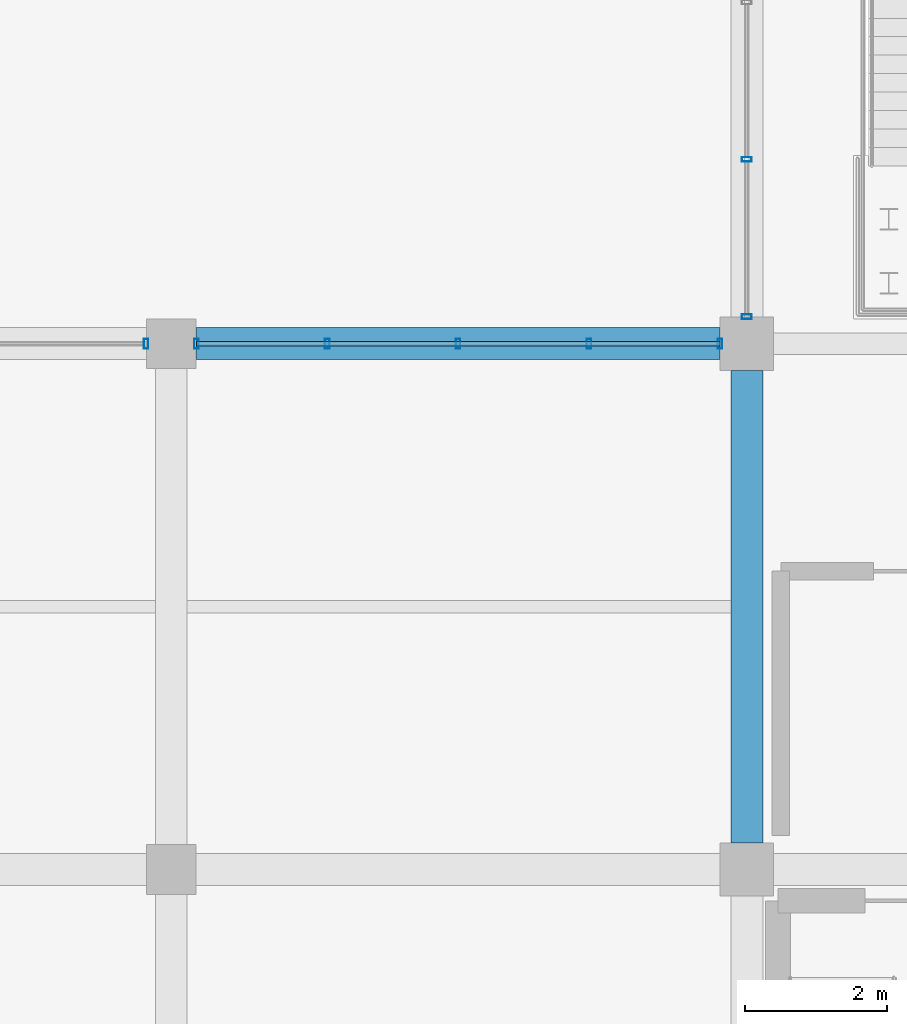
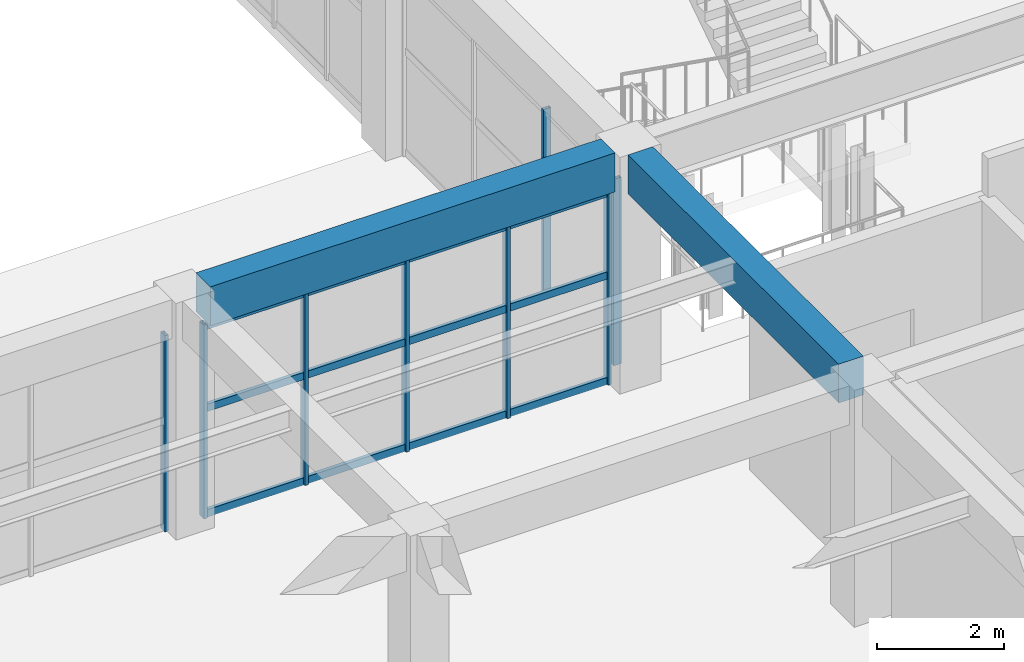
# One storey, part 45 of 161: 11 members, 2 beams, 3 elements without a shape of their own.
"""IFC4 building model written with IfcOpenShell, lengths in metres."""

import ifcopenshell
import ifcopenshell.guid

model = None  # the IFC model being written
_history = None  # IfcOwnerHistory: only IFC2X3 demands one
_inside = {}  # id of a spatial element -> (the spatial element, [elements in it])
_under = {}  # id of a project, library or spatial element -> (it, [spatial elements below it])
_declared = {}  # id of a project -> (the project, [libraries it declares])
_typed = {}  # id of a type object -> (the type object, [elements of that type])
_made_of = {}  # id of a material, layer set ... -> (it, [elements and type objects made of it])


def new_model(schema):
    """Start an empty IFC model of exactly this schema.

    Asked for "IFC4X3", IfcOpenShell would pick the latest addendum, in which some entities
    have other attributes; the version numbers below select the first issue.
    IFC2X3 requires an IfcOwnerHistory on every rooted entity: one is made here for all.
    """
    global model, _history
    if schema == "IFC4X3":
        model = ifcopenshell.file(schema_version=(4, 3, 0, 0))
    else:
        model = ifcopenshell.file(schema=schema)
    _inside.clear()
    _under.clear()
    _declared.clear()
    _typed.clear()
    _made_of.clear()
    _history = None
    if model.schema == "IFC2X3":
        org = make("IfcOrganization", Name="unknown")
        user = make(
            "IfcPersonAndOrganization",
            ThePerson=make("IfcPerson", FamilyName="unknown"),
            TheOrganization=org,
        )
        app = make(
            "IfcApplication",
            ApplicationDeveloper=org,
            Version="unknown",
            ApplicationFullName="unknown",
            ApplicationIdentifier="unknown",
        )
        _history = make(
            "IfcOwnerHistory",
            OwningUser=user,
            OwningApplication=app,
            ChangeAction="ADDED",
            CreationDate=0,
        )
    return model


def make(cls, **values):
    """One entity of the class cls with the attributes given. An attribute that is None is left unset."""
    return model.create_entity(
        cls, **{name: value for name, value in values.items() if value is not None}
    )


def rooted(cls, **values):
    """An entity with a GlobalId (a new one), such as an element, a storey or a relation."""
    return make(cls, GlobalId=ifcopenshell.guid.new(), OwnerHistory=_history, **values)


def si_unit(unit_type, name, prefix=None):
    """IfcSIUnit, for example si_unit("LENGTHUNIT", "METRE", prefix="MILLI")."""
    return make("IfcSIUnit", UnitType=unit_type, Prefix=prefix, Name=name)


def assignment(units):
    """IfcUnitAssignment: the units of a project."""
    return None if units is None else make("IfcUnitAssignment", Units=units)


def point(xyz):
    """IfcCartesianPoint."""
    return None if xyz is None else make("IfcCartesianPoint", Coordinates=xyz)


def direction(xyz):
    """IfcDirection."""
    return None if xyz is None else make("IfcDirection", DirectionRatios=xyz)


def frame(location, z_axis=None, x_axis=None):
    """IfcAxis2Placement3D, a coordinate frame: its origin and axes. An axis left out is left unset."""
    return make(
        "IfcAxis2Placement3D",
        Location=point(location),
        Axis=direction(z_axis),
        RefDirection=direction(x_axis),
    )


def frame_2d(location, x_axis=None):
    """IfcAxis2Placement2D, a coordinate frame in the plane: its origin and x axis."""
    return make(
        "IfcAxis2Placement2D", Location=point(location), RefDirection=direction(x_axis)
    )


def origin():
    """The frame at (0, 0, 0) with its axes left unset."""
    return frame((0.0, 0.0, 0.0))


def origin_2d():
    """The frame at (0, 0) in the plane with its x axis left unset."""
    return frame_2d((0.0, 0.0))


def place(relative_to, where):
    """IfcLocalPlacement: puts the frame where relative to a parent placement (None: the world)."""
    return make(
        "IfcLocalPlacement", PlacementRelTo=relative_to, RelativePlacement=where
    )


def context(
    kind, dimensions, precision=None, world=None, true_north=None, identifier=None
):
    """IfcGeometricRepresentationContext, for example the 3D "Model" context."""
    return make(
        "IfcGeometricRepresentationContext",
        ContextIdentifier=identifier,
        ContextType=kind,
        CoordinateSpaceDimension=dimensions,
        Precision=precision,
        WorldCoordinateSystem=world,
        TrueNorth=true_north,
    )


def subcontext(parent, identifier, kind, view, scale=None):
    """IfcGeometricRepresentationSubContext, for example "Body" below "Model"."""
    return make(
        "IfcGeometricRepresentationSubContext",
        ContextIdentifier=identifier,
        ContextType=kind,
        ParentContext=parent,
        TargetScale=scale,
        TargetView=view,
    )


def project(units=None, contexts=None):
    """IfcProject with its units and contexts."""
    return rooted(
        "IfcProject",
        Name="project",
        RepresentationContexts=contexts,
        UnitsInContext=assignment(units),
    )


def spatial(cls, under=None, at=None, **own):
    """A site, building, storey or space (cls), placed at a placement, below another one or the project."""
    s = rooted(cls, ObjectPlacement=at, **own)
    if under is not None:
        _under.setdefault(under.id(), (under, []))[1].append(s)
    return s


def profile(cls, at=None, kind="AREA", **sizes):
    """A parametric profile (cls). Its sizes go by their IFC names, for example OverallWidth=200.0."""
    return make(cls, ProfileType=kind, Position=at, **sizes)


def rectangle(**sizes):
    """IfcRectangleProfileDef."""
    return profile("IfcRectangleProfileDef", **sizes)


def hollow_rectangle(**sizes):
    """IfcRectangleHollowProfileDef."""
    return profile("IfcRectangleHollowProfileDef", **sizes)


def extrude(swept, where, along, depth):
    """IfcExtrudedAreaSolid: the profile swept, set in the frame where, extruded along a direction by depth."""
    return make(
        "IfcExtrudedAreaSolid",
        SweptArea=swept,
        Position=where,
        ExtrudedDirection=direction(along),
        Depth=depth,
    )


def shape(context_of_items, identifier, shape_type, items):
    """IfcShapeRepresentation: the items that make up one representation, for example the "Body"."""
    return make(
        "IfcShapeRepresentation",
        ContextOfItems=context_of_items,
        RepresentationIdentifier=identifier,
        RepresentationType=shape_type,
        Items=items,
    )


def material(Name=None, Category=None):
    """IfcMaterial."""
    return make("IfcMaterial", Name=Name, Category=Category)


def material_profile(
    of_material, cross_section, Name=None, Category=None, Priority=None
):
    """IfcMaterialProfile: a cross section and its material."""
    return make(
        "IfcMaterialProfile",
        Name=Name,
        Material=of_material,
        Profile=cross_section,
        Priority=Priority,
        Category=Category,
    )


def profile_set(profiles, Name=None, composite=None):
    """IfcMaterialProfileSet."""
    return make(
        "IfcMaterialProfileSet",
        Name=Name,
        MaterialProfiles=profiles,
        CompositeProfile=composite,
    )


def made_of(thing, what):
    """Note that an element or type object is made of a material, layer set ...; save() writes the relation."""
    if what is not None:
        _made_of.setdefault(what.id(), (what, []))[1].append(thing)
    return thing


def type_object(cls, material=None, **own):
    """A type object (cls), such as IfcWallType, which elements share."""
    return made_of(rooted(cls, **own), material)


def element(
    cls,
    number,
    at=None,
    inside=None,
    cuts=None,
    type_object=None,
    material=None,
    context=None,
    identifier="Body",
    shape_type=None,
    held_by="IfcProductDefinitionShape",
    body=None,
    shapes=None,
    **own,
):
    """One element of the class cls, such as IfcWall. Its Tag is "e" and its number.

    at: its placement. inside: the storey or other place that contains it. cuts: it is an
    opening in that element (IfcRelVoidsElement). A single representation is given by context,
    identifier, shape_type and body (its items); several are given by shapes. held_by: the class
    of the entity that holds the representations. save() writes the other relations.
    """
    e = rooted(cls, Tag="e%d" % number, ObjectPlacement=at, **own)
    if body is not None:
        shapes = [shape(context, identifier, shape_type, body)]
    if shapes is not None:
        e.Representation = make(held_by, Representations=shapes)
    if inside is not None:
        _inside.setdefault(inside.id(), (inside, []))[1].append(e)
    if cuts is not None:
        rooted(
            "IfcRelVoidsElement", RelatingBuildingElement=cuts, RelatedOpeningElement=e
        )
    if type_object is not None:
        _typed.setdefault(type_object.id(), (type_object, []))[1].append(e)
    return made_of(e, material)


def aggregate(whole, parts):
    """IfcRelAggregates: a whole, such as a stair, and the parts it consists of."""
    return rooted("IfcRelAggregates", RelatingObject=whole, RelatedObjects=parts)


def save(model, path):
    """Write the relations noted so far, then the file.

    IfcRelAggregates (storeys below a building ...), IfcRelContainedInSpatialStructure (elements
    in a storey), IfcRelDefinesByType, IfcRelAssociatesMaterial and IfcRelDeclares: one each for
    every whole, place, type object, material and project.
    """
    for whole, parts in _under.values():
        aggregate(whole, parts)
    for where, things in _inside.values():
        rooted(
            "IfcRelContainedInSpatialStructure",
            RelatedElements=things,
            RelatingStructure=where,
        )
    for kind, things in _typed.values():
        rooted("IfcRelDefinesByType", RelatedObjects=things, RelatingType=kind)
    for what, things in _made_of.values():
        rooted("IfcRelAssociatesMaterial", RelatedObjects=things, RelatingMaterial=what)
    for by, libraries in _declared.values():
        rooted("IfcRelDeclares", RelatingContext=by, RelatedDefinitions=libraries)
    model.write(path)


model = new_model("IFC4")

# Units and contexts
model_context = context("Model", 3, precision=1e-05, world=origin(), true_north=direction((0.0, 1.0)))
body_context = subcontext(model_context, "Body", "Model", "MODEL_VIEW")
ifc_project = project(units=[si_unit("LENGTHUNIT", "METRE"), si_unit("AREAUNIT", "SQUARE_METRE"), si_unit("VOLUMEUNIT", "CUBIC_METRE"), si_unit("PLANEANGLEUNIT", "RADIAN"), si_unit("MASSUNIT", "GRAM", prefix="KILO")], contexts=[model_context])

# Site, building, storey
site_placement = place(None, origin())
site = spatial("IfcSite", under=ifc_project, at=site_placement, CompositionType="ELEMENT")
building_placement = place(site_placement, origin())
building = spatial("IfcBuilding", under=site, at=building_placement, Name="Cimatlan Art Gallery", CompositionType="ELEMENT")
storey_placement = place(building_placement, frame((0.0, 0.0, 5.39990234375)))
storey = spatial("IfcBuildingStorey", under=building, at=storey_placement, Name="L01", CompositionType="ELEMENT", Elevation=5.39990234375)

# Beams
ifc_material_1 = material(Name="Concrete C40/50", Category="concrete")
ifc_material_profile_1 = material_profile(ifc_material_1, rectangle(XDim=0.449951171875, YDim=0.75, at=origin_2d()), Name="RC450X750")
ifc_profile_set_1 = profile_set([ifc_material_profile_1], Name="Concrete C40/50")
beam_type = type_object("IfcBeamType", Name="BM-RC-450X750", PredefinedType="BEAM", material=ifc_profile_set_1)
beam_1_placement = place(storey_placement, frame((74.89990234375, 31.675048828125, 4.18505859375), z_axis=(0.0, 1.0, 0.0), x_axis=(-1.0, 0.0, 0.0)))
element("IfcBeam", 1, at=beam_1_placement, inside=storey, type_object=beam_type, Name="BM-Y-L01-09-04", PredefinedType="BEAM", context=body_context, shape_type="SweptSolid", body=[
    extrude(rectangle(XDim=0.449951171875, YDim=0.75, at=origin_2d()), origin(), (0.0, 0.0, 1.0), 6.64990234375),
])
beam_2_placement = place(storey_placement, frame((67.14990234375, 38.699951171875, 4.18505859375), z_axis=(1.0, 0.0, 0.0), x_axis=(0.0, 1.0, 0.0)))
element("IfcBeam", 2, at=beam_2_placement, inside=storey, type_object=beam_type, Name="BM-X-L01-08-05", PredefinedType="BEAM", context=body_context, shape_type="SweptSolid", body=[
    extrude(rectangle(XDim=0.449951171875, YDim=0.75, at=origin_2d()), origin(), (0.0, 0.0, 1.0), 7.375),
])

# Curtain wall, member
ifc_material_2 = material(Name="Anodised bronze unitised curtain wall")
curtain_wall_type_1 = type_object("IfcCurtainWallType", Name="CW-V-07392X03780-B3", PredefinedType="NOTDEFINED", material=ifc_material_2)
curtain_wall_1_placement = place(storey_placement, origin())
curtain_wall_1 = element("IfcCurtainWall", 3, at=curtain_wall_1_placement, inside=storey, type_object=curtain_wall_type_1, Name="CW-L01-07-04-N", PredefinedType="NOTDEFINED")
ifc_material_3 = material(Name="Anodised bronze aluminium 6063-T6", Category="aluminium")
ifc_material_profile_2 = material_profile(ifc_material_3, hollow_rectangle(XDim=0.06494140625, YDim=0.139892578125, WallThickness=0.00390625, at=origin_2d()), Name="ALU65X140X4")
ifc_profile_set_2 = profile_set([ifc_material_profile_2], Name="Anodised bronze aluminium 6063-T6")
member_type_1 = type_object("IfcMemberType", Name="CW-MUL-140", PredefinedType="MULLION", material=ifc_profile_set_2)
member_1_placement = place(storey_placement, frame((66.446044921875, 38.699951171875, 0.0), z_axis=(0.0, 0.0, 1.0), x_axis=(1.0, 0.0, 0.0)))
member_1 = element("IfcMember", 4, at=member_1_placement, type_object=member_type_1, Name="CW-L01-07-04-N-M4", PredefinedType="MULLION", context=body_context, shape_type="SweptSolid", body=[
    extrude(hollow_rectangle(XDim=0.06494140625, YDim=0.139892578125, WallThickness=0.00390625, at=origin_2d()), origin(), (0.0, 0.0, 1.0), 3.780029296875),
])
aggregate(curtain_wall_1, [member_1])

# Curtain wall, members
curtain_wall_type_2 = type_object("IfcCurtainWallType", Name="CW-V-07367X03735-B4", PredefinedType="NOTDEFINED", material=ifc_material_2)
curtain_wall_2_placement = place(storey_placement, origin())
curtain_wall_2 = element("IfcCurtainWall", 5, at=curtain_wall_2_placement, inside=storey, type_object=curtain_wall_type_2, Name="CW-L01-08-04-N", PredefinedType="NOTDEFINED")
member_2_placement = place(storey_placement, frame((67.154052734375, 38.699951171875, 0.0), z_axis=(0.0, 0.0, 1.0), x_axis=(1.0, 0.0, 0.0)))
member_2 = element("IfcMember", 6, at=member_2_placement, type_object=member_type_1, Name="CW-L01-08-04-N-M1", PredefinedType="MULLION", context=body_context, shape_type="SweptSolid", body=[
    extrude(hollow_rectangle(XDim=0.06494140625, YDim=0.139892578125, WallThickness=0.00390625, at=origin_2d()), origin(), (0.0, 0.0, 1.0), 3.735107421875),
])
member_3_placement = place(storey_placement, frame((68.995849609375, 38.699951171875, 0.0), z_axis=(0.0, 0.0, 1.0), x_axis=(1.0, 0.0, 0.0)))
member_3 = element("IfcMember", 7, at=member_3_placement, type_object=member_type_1, Name="CW-L01-08-04-N-M2", PredefinedType="MULLION", context=body_context, shape_type="SweptSolid", body=[
    extrude(hollow_rectangle(XDim=0.06494140625, YDim=0.139892578125, WallThickness=0.00390625, at=origin_2d()), origin(), (0.0, 0.0, 1.0), 3.735107421875),
])
member_4_placement = place(storey_placement, frame((70.83740234375, 38.699951171875, 0.0), z_axis=(0.0, 0.0, 1.0), x_axis=(1.0, 0.0, 0.0)))
member_4 = element("IfcMember", 8, at=member_4_placement, type_object=member_type_1, Name="CW-L01-08-04-N-M3", PredefinedType="MULLION", context=body_context, shape_type="SweptSolid", body=[
    extrude(hollow_rectangle(XDim=0.06494140625, YDim=0.139892578125, WallThickness=0.00390625, at=origin_2d()), origin(), (0.0, 0.0, 1.0), 3.735107421875),
])
member_5_placement = place(storey_placement, frame((72.67919921875, 38.699951171875, 0.0), z_axis=(0.0, 0.0, 1.0), x_axis=(1.0, 0.0, 0.0)))
member_5 = element("IfcMember", 9, at=member_5_placement, type_object=member_type_1, Name="CW-L01-08-04-N-M4", PredefinedType="MULLION", context=body_context, shape_type="SweptSolid", body=[
    extrude(hollow_rectangle(XDim=0.06494140625, YDim=0.139892578125, WallThickness=0.00390625, at=origin_2d()), origin(), (0.0, 0.0, 1.0), 3.735107421875),
])
member_6_placement = place(storey_placement, frame((74.52099609375, 38.699951171875, 0.0), z_axis=(0.0, 0.0, 1.0), x_axis=(1.0, 0.0, 0.0)))
member_6 = element("IfcMember", 10, at=member_6_placement, type_object=member_type_1, Name="CW-L01-08-04-N-M5", PredefinedType="MULLION", context=body_context, shape_type="SweptSolid", body=[
    extrude(hollow_rectangle(XDim=0.06494140625, YDim=0.139892578125, WallThickness=0.00390625, at=origin_2d()), origin(), (0.0, 0.0, 1.0), 3.735107421875),
])

curtain_wall_type_3 = type_object("IfcCurtainWallType", Name="CW-V-06642X03592-B3", PredefinedType="NOTDEFINED", material=ifc_material_2)
curtain_wall_3_placement = place(storey_placement, origin())
curtain_wall_3 = element("IfcCurtainWall", 11, at=curtain_wall_3_placement, inside=storey, type_object=curtain_wall_type_3, Name="CW-L01-09-05-W", PredefinedType="NOTDEFINED")
member_7_placement = place(storey_placement, frame((74.89990234375, 39.0791015625, 0.0), z_axis=(0.0, 0.0, 1.0), x_axis=(0.0, 1.0, 0.0)))
member_7 = element("IfcMember", 12, at=member_7_placement, type_object=member_type_1, Name="CW-L01-09-05-W-M1", PredefinedType="MULLION", context=body_context, shape_type="SweptSolid", body=[
    extrude(hollow_rectangle(XDim=0.06494140625, YDim=0.139892578125, WallThickness=0.00390625, at=origin_2d()), origin(), (0.0, 0.0, 1.0), 3.592041015625),
])
member_8_placement = place(storey_placement, frame((74.89990234375, 41.29296875, 0.0), z_axis=(0.0, 0.0, 1.0), x_axis=(0.0, 1.0, 0.0)))
member_8 = element("IfcMember", 13, at=member_8_placement, type_object=member_type_1, Name="CW-L01-09-05-W-M2", PredefinedType="MULLION", context=body_context, shape_type="SweptSolid", body=[
    extrude(hollow_rectangle(XDim=0.06494140625, YDim=0.139892578125, WallThickness=0.00390625, at=origin_2d()), origin(), (0.0, 0.0, 1.0), 3.592041015625),
])
aggregate(curtain_wall_3, [member_7, member_8])

# Member
ifc_material_profile_3 = material_profile(ifc_material_3, hollow_rectangle(XDim=0.06494140625, YDim=0.139892578125, WallThickness=0.00390625, at=origin_2d()), Name="ALU65X140X4")
ifc_profile_set_3 = profile_set([ifc_material_profile_3], Name="Anodised bronze aluminium 6063-T6")
member_type_2 = type_object("IfcMemberType", Name="CW-TRN-140", PredefinedType="USERDEFINED", material=ifc_profile_set_3)
member_9_placement = place(storey_placement, frame((67.154052734375, 38.699951171875, 0.06005859375), z_axis=(1.0, 0.0, 0.0), x_axis=(0.0, 1.0, 0.0)))
member_9 = element("IfcMember", 14, at=member_9_placement, type_object=member_type_2, Name="CW-L01-08-04-N-T1", ObjectType="TRANSOM", PredefinedType="USERDEFINED", context=body_context, shape_type="SweptSolid", body=[
    extrude(hollow_rectangle(XDim=0.06494140625, YDim=0.139892578125, WallThickness=0.00390625, at=origin_2d()), origin(), (0.0, 0.0, 1.0), 7.366943359375),
])

member_10_placement = place(storey_placement, frame((67.154052734375, 38.699951171875, 2.091796875), z_axis=(1.0, 0.0, 0.0), x_axis=(0.0, 1.0, 0.0)))
member_10 = element("IfcMember", 15, at=member_10_placement, type_object=member_type_2, Name="CW-L01-08-04-N-T2", ObjectType="TRANSOM", PredefinedType="USERDEFINED", context=body_context, shape_type="SweptSolid", body=[
    extrude(hollow_rectangle(XDim=0.06494140625, YDim=0.139892578125, WallThickness=0.00390625, at=origin_2d()), origin(), (0.0, 0.0, 1.0), 7.366943359375),
])

member_11_placement = place(storey_placement, frame((67.154052734375, 38.699951171875, 3.675048828125), z_axis=(1.0, 0.0, 0.0), x_axis=(0.0, 1.0, 0.0)))
member_11 = element("IfcMember", 16, at=member_11_placement, type_object=member_type_2, Name="CW-L01-08-04-N-T3", ObjectType="TRANSOM", PredefinedType="USERDEFINED", context=body_context, shape_type="SweptSolid", body=[
    extrude(hollow_rectangle(XDim=0.06494140625, YDim=0.139892578125, WallThickness=0.00390625, at=origin_2d()), origin(), (0.0, 0.0, 1.0), 7.366943359375),
])

aggregate(curtain_wall_2, [member_2, member_3, member_4, member_5, member_6, member_9, member_10, member_11])

save(model, "model.ifc")
